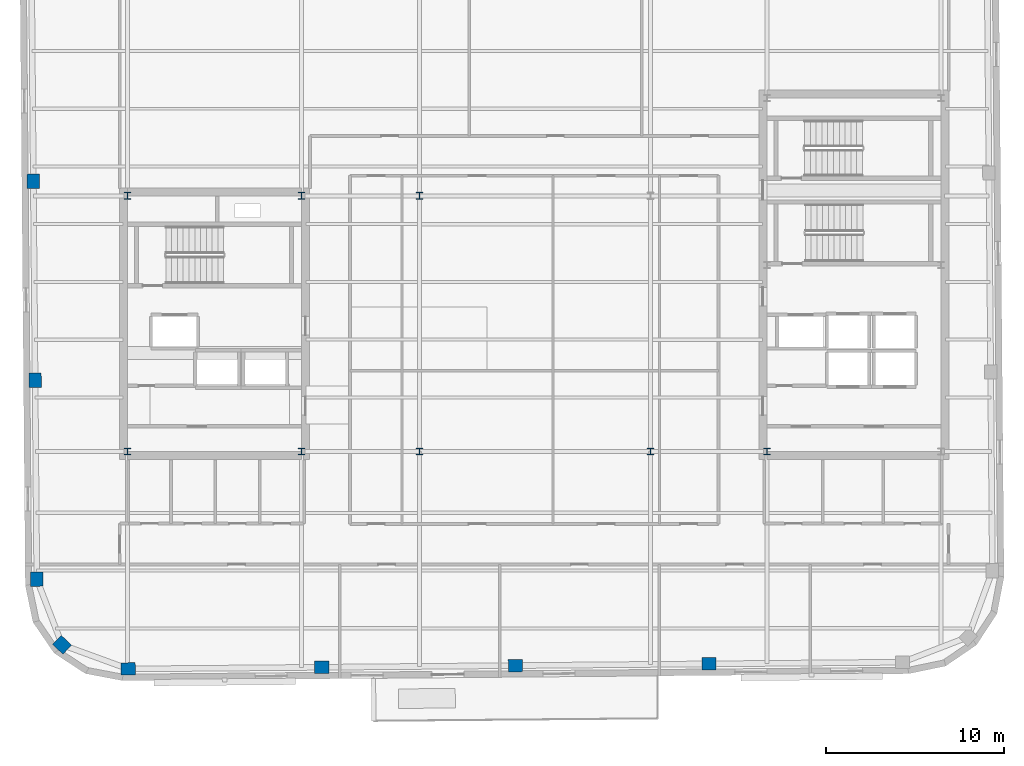
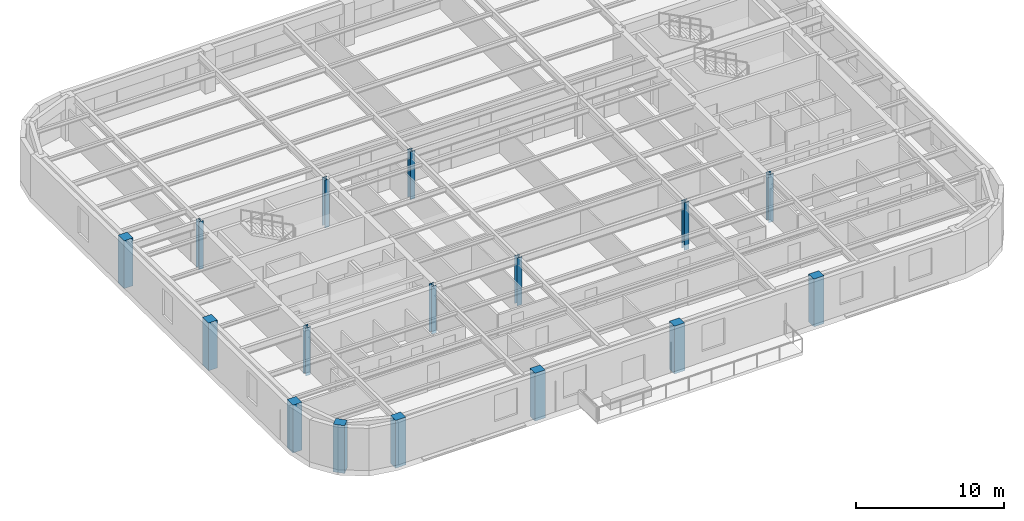
# One storey, part 1 of 14: 16 columns.
"""IFC4 building model written with IfcOpenShell, lengths in metres."""

from ifc_helpers import new_model, si_unit, direction, frame, origin, origin_2d, place, context, subcontext, project, spatial, rectangle, i_section, extrude, material, material_profile, profile_set, type_object, element, save


model = new_model("IFC4")

# Units and contexts
model_context = context("Model", 3, precision=1e-05, world=origin(), true_north=direction((0.0, 1.0)))
body_context = subcontext(model_context, "Body", "Model", "MODEL_VIEW")
ifc_project = project(units=[si_unit("LENGTHUNIT", "METRE"), si_unit("AREAUNIT", "SQUARE_METRE"), si_unit("VOLUMEUNIT", "CUBIC_METRE"), si_unit("PLANEANGLEUNIT", "RADIAN"), si_unit("MASSUNIT", "GRAM", prefix="KILO")], contexts=[model_context])

# Site, building, storey
site_placement = place(None, origin())
site = spatial("IfcSite", under=ifc_project, at=site_placement, CompositionType="ELEMENT")
building_placement = place(site_placement, origin())
building = spatial("IfcBuilding", under=site, at=building_placement, Name="Kolvaren Arena Tower", CompositionType="ELEMENT")
storey_placement = place(building_placement, frame((0.0, 0.0, 274.89990234375)))
storey = spatial("IfcBuildingStorey", under=building, at=storey_placement, Name="L67", CompositionType="ELEMENT", Elevation=274.89990234375)

# Columns
ifc_material_1 = material(Name="Precast concrete C50/60", Category="concrete")
ifc_material_profile_1 = material_profile(ifc_material_1, rectangle(XDim=0.800048828125, YDim=0.699951171875, at=origin_2d()), Name="RC-800x700")
ifc_profile_set_1 = profile_set([ifc_material_profile_1], Name="Precast concrete C50/60")
column_type_1 = type_object("IfcColumnType", Name="EXCOL-Z5", PredefinedType="COLUMN", material=ifc_profile_set_1)
for number, where, z_axis, x_axis, name in (
    (1, (14.591796875, 7.210693359375, -0.449951171875), (0.0, 0.0, 1.0), (0.999961923064, 0.008726535498, 0.0), "Exoskeleton Perimeter Column 01 (L67)"),
    (2, (25.491455078125, 7.3056640625, -0.449951171875), (0.0, 0.0, 1.0), (0.999961923064, 0.008726535498, 0.0), "Exoskeleton Perimeter Column 02 (L67)"),
    (3, (36.39111328125, 7.40087890625, -0.449951171875), (0.0, 0.0, 1.0), (0.999961923064, 0.008726535498, 0.0), "Exoskeleton Perimeter Column 03 (L67)"),
    (4, (47.290771484375, 7.49609375, -0.449951171875), (0.0, 0.0, 1.0), (0.999961923064, 0.008726535498, 0.0), "Exoskeleton Perimeter Column 04 (L67)"),
    (5, (9.252197265625, 34.6650390625, -0.449951171875), (0.0, 0.0, 1.0), (-0.008726535498, 0.999961923064, 0.0), "Exoskeleton Perimeter Column 19 (L67)"),
    (6, (9.349853515625, 23.465576171875, -0.449951171875), (0.0, 0.0, 1.0), (-0.008726535498, 0.999961923064, 0.0), "Exoskeleton Perimeter Column 20 (L67)"),
    (7, (9.447509765625, 12.265869140625, -0.449951171875), (0.0, 0.0, 1.0), (-0.008726535498, 0.999961923064, 0.0), "Exoskeleton Perimeter Column 21 (L67)"),
    (8, (10.87109375, 8.5693359375, -0.449951171875), (0.0, 0.0, 1.0), (-0.713250449154, 0.7009092643, 0.0), "Exoskeleton Perimeter Column 22 (L67)"),
):
    element("IfcColumn", number, at=place(storey_placement, frame(where, z_axis=z_axis, x_axis=x_axis)), inside=storey, type_object=column_type_1, Name=name, PredefinedType="COLUMN", context=body_context, shape_type="SweptSolid", body=[
        extrude(rectangle(XDim=0.800048828125, YDim=0.699951171875, at=origin_2d()), origin(), (0.0, 0.0, 1.0), 3.929931640625),
    ])
ifc_material_2 = material(Name="Steel ASTM A913 Grade 65", Category="steel")
ifc_material_profile_2 = material_profile(ifc_material_2, i_section(OverallWidth=0.3740234375, OverallDepth=0.3720703125, WebThickness=0.016357421875, FlangeThickness=0.026123046875, FilletRadius=0.02001953125, at=origin_2d()), Name="W360x196")
ifc_profile_set_2 = profile_set([ifc_material_profile_2], Name="Steel ASTM A913 Grade 65")
column_type_2 = type_object("IfcColumnType", Name="SCOL-Z5", PredefinedType="COLUMN", material=ifc_profile_set_2)
for number, where, z_axis, x_axis, name in (
    (9, (14.550048828125, 19.449951171875, -0.449951171875), (0.0, 0.0, 1.0), (1.0, 0.0, 0.0), "Core Boundary Column WC-SW (L67)"),
    (10, (24.35009765625, 19.449951171875, -0.449951171875), (0.0, 0.0, 1.0), (1.0, 0.0, 0.0), "Core Boundary Column WC-SE (L67)"),
    (11, (14.550048828125, 33.85009765625, -0.449951171875), (0.0, 0.0, 1.0), (1.0, 0.0, 0.0), "Core Boundary Column WC-NW (L67)"),
    (12, (24.35009765625, 33.85009765625, -0.449951171875), (0.0, 0.0, 1.0), (1.0, 0.0, 0.0), "Core Boundary Column WC-NE (L67)"),
    (13, (50.550048828125, 19.449951171875, -0.449951171875), (0.0, 0.0, 1.0), (1.0, 0.0, 0.0), "Core Boundary Column EC-SW (L67)"),
    (14, (31.0, 19.449951171875, -0.449951171875), (0.0, 0.0, 1.0), (1.0, 0.0, 0.0), "Interior Gravity Column TC-SW (L67)"),
    (15, (44.0, 19.449951171875, -0.449951171875), (0.0, 0.0, 1.0), (1.0, 0.0, 0.0), "Interior Gravity Column TC-SE (L67)"),
    (16, (31.0, 33.85009765625, -0.449951171875), (0.0, 0.0, 1.0), (1.0, 0.0, 0.0), "Interior Gravity Column TC-NW (L67)"),
):
    element("IfcColumn", number, at=place(storey_placement, frame(where, z_axis=z_axis, x_axis=x_axis)), inside=storey, type_object=column_type_2, Name=name, PredefinedType="COLUMN", context=body_context, shape_type="SweptSolid", body=[
        extrude(i_section(OverallWidth=0.3740234375, OverallDepth=0.3720703125, WebThickness=0.016357421875, FlangeThickness=0.026123046875, FilletRadius=0.02001953125, at=origin_2d()), origin(), (0.0, 0.0, 1.0), 3.929931640625),
    ])

save(model, "model.ifc")
